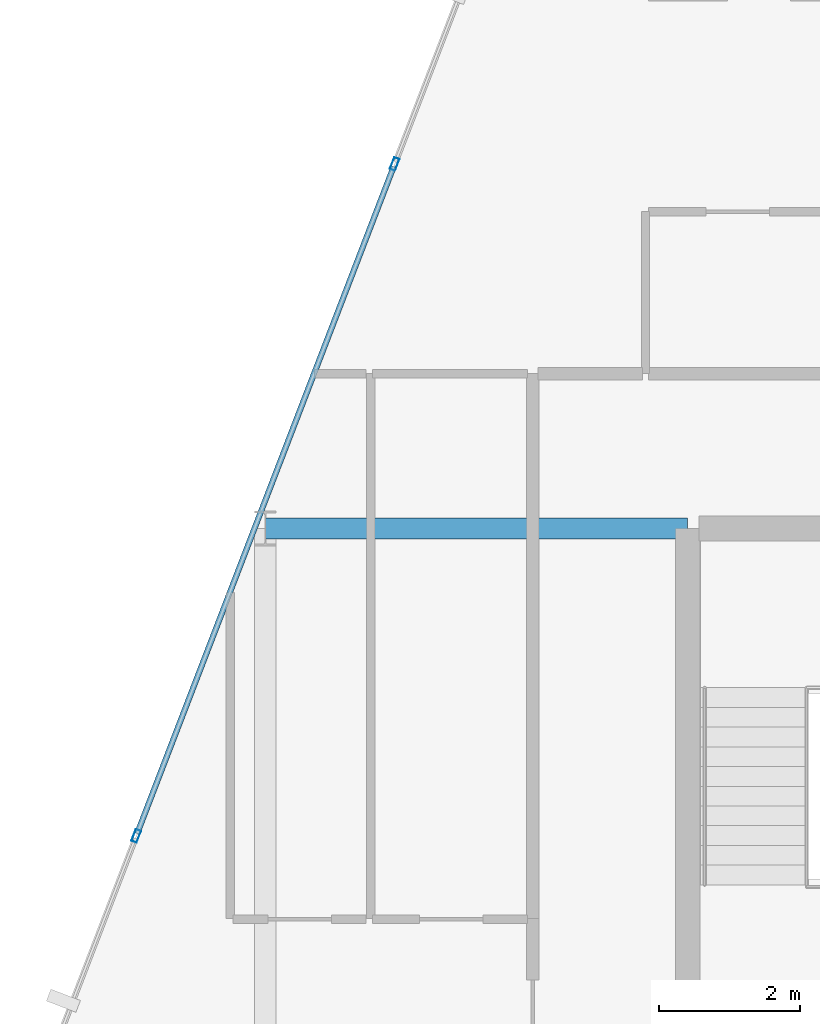
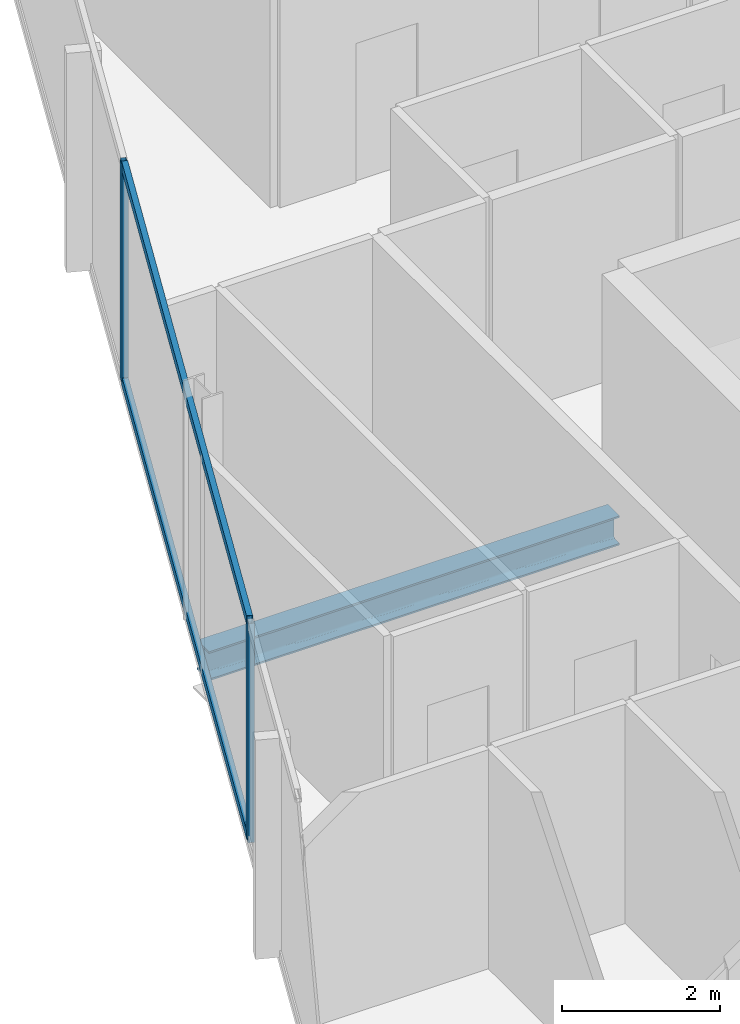
# One storey, part 15 of 31: 4 members, 1 beam, 1 element without a shape of its own.
"""IFC4 building model written with IfcOpenShell, lengths in metres."""

from ifc_helpers import new_model, si_unit, direction, frame, origin, origin_2d, place, context, subcontext, project, spatial, hollow_rectangle, i_section, extrude, material, layer, layer_set, material_profile, profile_set, type_object, element, aggregate, save


model = new_model("IFC4")

# Units and contexts
model_context = context("Model", 3, precision=1e-05, world=origin(), true_north=direction((0.0, 1.0)))
body_context = subcontext(model_context, "Body", "Model", "MODEL_VIEW")
ifc_project = project(units=[si_unit("LENGTHUNIT", "METRE"), si_unit("AREAUNIT", "SQUARE_METRE"), si_unit("VOLUMEUNIT", "CUBIC_METRE"), si_unit("PLANEANGLEUNIT", "RADIAN"), si_unit("MASSUNIT", "GRAM", prefix="KILO")], contexts=[model_context])

# Site, building, storey
site_placement = place(None, origin())
site = spatial("IfcSite", under=ifc_project, at=site_placement, CompositionType="ELEMENT")
building_placement = place(site_placement, origin())
building = spatial("IfcBuilding", under=site, at=building_placement, Name="Keshet Zoharim Tower", CompositionType="ELEMENT")
storey_placement = place(building_placement, frame((0.0, 0.0, 133.5)))
storey = spatial("IfcBuildingStorey", under=building, at=storey_placement, Name="L32", CompositionType="ELEMENT", Elevation=133.5)

# Beam
ifc_material_1 = material(Name="Steel S355", Category="steel")
ifc_material_profile_1 = material_profile(ifc_material_1, i_section(OverallWidth=0.300048828125, OverallDepth=0.449951171875, WebThickness=0.013916015625, FlangeThickness=0.02587890625, FilletRadius=0.027099609375, at=origin_2d()), Name="HEB450")
ifc_profile_set_1 = profile_set([ifc_material_profile_1], Name="Steel S355")
beam_type = type_object("IfcBeamType", Name="BM-WEB-HB450", PredefinedType="BEAM", material=ifc_profile_set_1)
beam_placement = place(storey_placement, frame((9.0, 37.89990234375, -0.5400390625), z_axis=(1.0, 0.0, 0.0), x_axis=(0.0, 1.0, 0.0)))
element("IfcBeam", 1, at=beam_placement, inside=storey, type_object=beam_type, Name="L32 Primary Girder X-018", PredefinedType="BEAM", context=body_context, shape_type="SweptSolid", body=[
    extrude(i_section(OverallWidth=0.300048828125, OverallDepth=0.449951171875, WebThickness=0.013916015625, FlangeThickness=0.02587890625, FilletRadius=0.027099609375, at=origin_2d()), origin(), (0.0, 0.0, 1.0), 6.0),
])

# Curtain wall, members
ifc_material_2 = material(Name="Aluminium 6063-T6", Category="aluminium")
ifc_layer = layer(ifc_material_2, 0.159912109375)
ifc_layer_set = layer_set([ifc_layer], Name="Aluminium 6063-T6")
curtain_wall_type = type_object("IfcCurtainWallType", Name="CW-SYS-03", PredefinedType="NOTDEFINED", material=ifc_layer_set)
curtain_wall_placement = place(storey_placement, origin())
curtain_wall = element("IfcCurtainWall", 2, at=curtain_wall_placement, inside=storey, type_object=curtain_wall_type, Name="L32 Unitised Curtain Wall 10", PredefinedType="NOTDEFINED")
ifc_material_profile_2 = material_profile(ifc_material_2, hollow_rectangle(XDim=0.080078125, YDim=0.179931640625, WallThickness=0.00439453125, at=origin_2d()), Name="MUL-80x180")
ifc_profile_set_2 = profile_set([ifc_material_profile_2], Name="Aluminium 6063-T6")
member_type_1 = type_object("IfcMemberType", Name="CWM-M18", PredefinedType="MULLION", material=ifc_profile_set_2)
member_1_placement = place(storey_placement, frame((7.1669921875, 33.53466796875, 0.0), z_axis=(0.0, 0.0, 1.0), x_axis=(-0.933341404361, 0.358990003907, 0.0)))
member_1 = element("IfcMember", 3, at=member_1_placement, type_object=member_type_1, Name="CW-03 mullion 2", PredefinedType="MULLION", context=body_context, shape_type="SweptSolid", body=[
    extrude(hollow_rectangle(XDim=0.080078125, YDim=0.179931640625, WallThickness=0.00439453125, at=origin_2d()), origin(), (0.0, 0.0, 1.0), 3.385009765625),
])
member_2_placement = place(storey_placement, frame((10.8369140625, 43.076416015625, 0.0), z_axis=(0.0, 0.0, 1.0), x_axis=(-0.933341404361, 0.358990003907, 0.0)))
member_2 = element("IfcMember", 4, at=member_2_placement, type_object=member_type_1, Name="CW-03 mullion 3", PredefinedType="MULLION", context=body_context, shape_type="SweptSolid", body=[
    extrude(hollow_rectangle(XDim=0.080078125, YDim=0.179931640625, WallThickness=0.00439453125, at=origin_2d()), origin(), (0.0, 0.0, 1.0), 3.385009765625),
])
ifc_material_profile_3 = material_profile(ifc_material_2, hollow_rectangle(XDim=0.080078125, YDim=0.139892578125, WallThickness=0.00390625, at=origin_2d()), Name="TRN-80x140")
ifc_profile_set_3 = profile_set([ifc_material_profile_3], Name="Aluminium 6063-T6")
member_type_2 = type_object("IfcMemberType", Name="CWT-T14", PredefinedType="USERDEFINED", material=ifc_profile_set_3)
member_3_placement = place(storey_placement, frame((7.179443359375, 33.5673828125, 0.034912109375), z_axis=(0.359003248899, 0.933336309848, 0.0), x_axis=(-0.933336309848, 0.359003248899, 0.0)))
member_3 = element("IfcMember", 5, at=member_3_placement, type_object=member_type_2, Name="CW-03 transom 2.1", ObjectType="TRANSOM", PredefinedType="USERDEFINED", context=body_context, shape_type="SweptSolid", body=[
    extrude(hollow_rectangle(XDim=0.080078125, YDim=0.139892578125, WallThickness=0.00390625, at=origin_2d()), origin(), (0.0, 0.0, 1.0), 10.153076171875),
])
member_4_placement = place(storey_placement, frame((7.179443359375, 33.5673828125, 3.35009765625), z_axis=(0.359003248899, 0.933336309848, 0.0), x_axis=(-0.933336309848, 0.359003248899, 0.0)))
member_4 = element("IfcMember", 6, at=member_4_placement, type_object=member_type_2, Name="CW-03 transom 2.2", ObjectType="TRANSOM", PredefinedType="USERDEFINED", context=body_context, shape_type="SweptSolid", body=[
    extrude(hollow_rectangle(XDim=0.080078125, YDim=0.139892578125, WallThickness=0.00390625, at=origin_2d()), origin(), (0.0, 0.0, 1.0), 10.153076171875),
])
aggregate(curtain_wall, [member_1, member_2, member_3, member_4])

save(model, "model.ifc")
